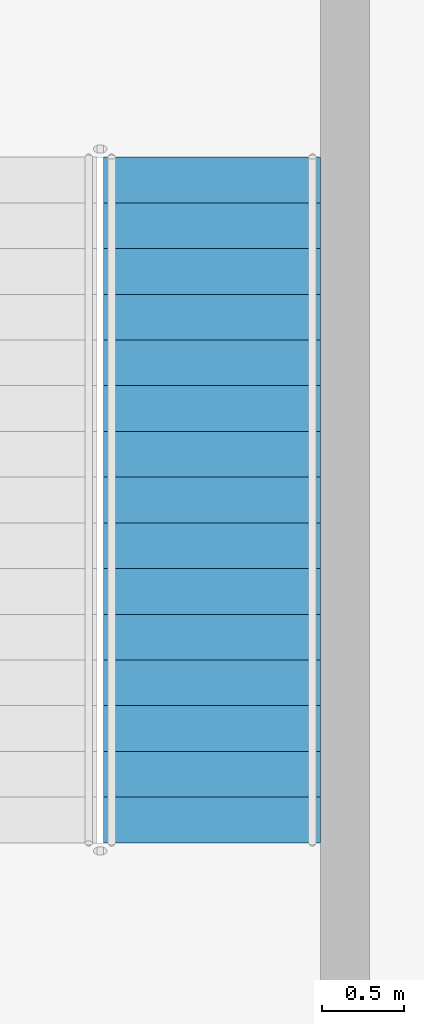
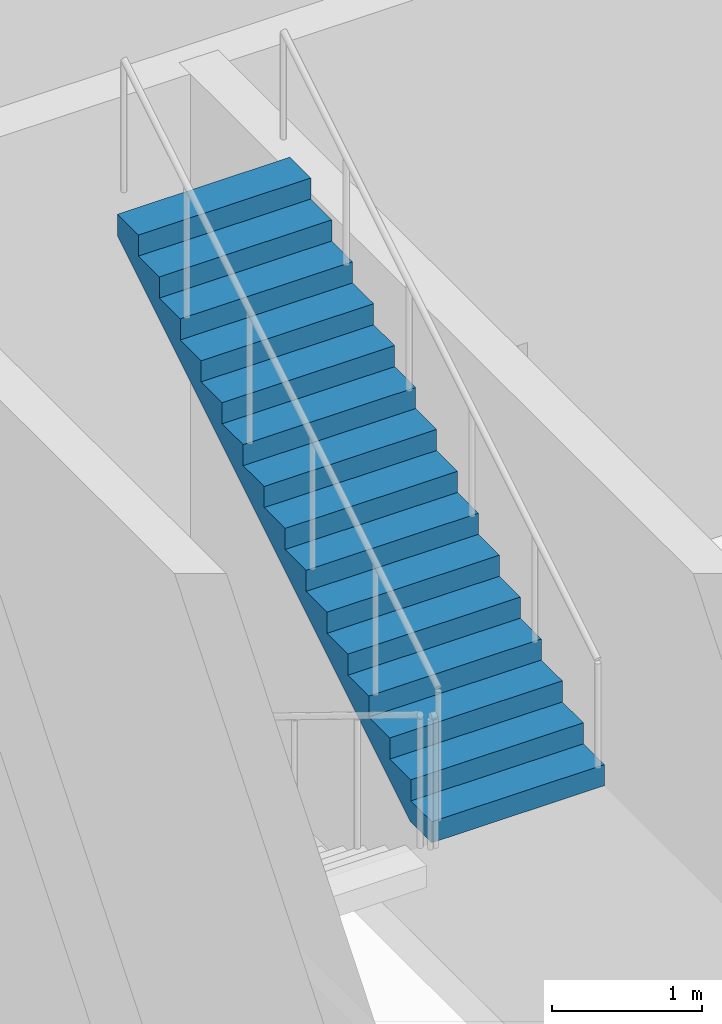
# One storey, part 17 of 23: 1 stair flight, 1 element without a shape of its own.
"""IFC4 building model written with IfcOpenShell, lengths in metres."""

from ifc_helpers import new_model, si_unit, direction, frame, origin, place, context, subcontext, project, spatial, triangles, source, transform, mapped, material, type_object, element, aggregate, save


model = new_model("IFC4")

# Units and contexts
model_context = context("Model", 3, precision=1e-05, world=origin(), true_north=direction((0.0, 1.0)))
body_context = subcontext(model_context, "Body", "Model", "MODEL_VIEW")
ifc_project = project(units=[si_unit("LENGTHUNIT", "METRE"), si_unit("AREAUNIT", "SQUARE_METRE"), si_unit("VOLUMEUNIT", "CUBIC_METRE"), si_unit("PLANEANGLEUNIT", "RADIAN"), si_unit("MASSUNIT", "GRAM", prefix="KILO")], contexts=[model_context])

# Site, building, storey
site_placement = place(None, origin())
site = spatial("IfcSite", under=ifc_project, at=site_placement, CompositionType="ELEMENT")
building_placement = place(site_placement, origin())
building = spatial("IfcBuilding", under=site, at=building_placement, Name="Ogive Portal Towers", CompositionType="ELEMENT")
storey_placement = place(building_placement, frame((0.0, 0.0, 249.39990234375)))
storey = spatial("IfcBuildingStorey", under=building, at=storey_placement, Name="L62", CompositionType="ELEMENT", Elevation=249.39990234375)

# Stair, stair flight
ifc_material = material(Name="Concrete C40/50", Category="concrete")
stair_type = type_object("IfcStairType", Name="INT-STAIR", PredefinedType="HALF_TURN_STAIR", material=ifc_material)
stair_placement = place(storey_placement, origin())
stair = element("IfcStair", 1, at=stair_placement, inside=storey, type_object=stair_type, Name="L62 Exit Stair ST-A4", PredefinedType="HALF_TURN_STAIR")
stair_flight_type = type_object("IfcStairFlightType", Name="INT-FLIGHT", PredefinedType="STRAIGHT", material=ifc_material)
shared_shape = source(origin(), body_context, "Body", "Tessellation", [
    triangles([(0.0, -0.6650390625, 0.0), (0.0, -0.384765625, 0.0), (0.0, -0.197021484375, 0.0), (0.0, -0.0830078125, 0.0), (0.0, -0.024658203125, 0.0), (0.0, -0.003173828125, 0.0), (0.0, 0.0, 0.0), (0.0, 0.003173828125, 0.0), (0.0, 0.024658203125, 0.0), (0.0, 0.0830078125, 0.0), (0.0, 0.197021484375, 0.0), (0.0, 0.384765625, 0.0), (0.0, 0.6650390625, 0.0), (0.0, -0.6650390625, 0.171875), (0.0, -0.384765625, 0.171875), (0.0, -0.197021484375, 0.171875), (0.0, -0.0830078125, 0.171875), (0.0, -0.024658203125, 0.171875), (0.0, -0.003173828125, 0.171875), (0.0, 0.0, 0.171875), (0.0, 0.003173828125, 0.171875), (0.0, 0.024658203125, 0.171875), (0.0, 0.0830078125, 0.171875), (0.0, 0.197021484375, 0.171875), (0.0, 0.384765625, 0.171875), (0.0, 0.6650390625, 0.171875), (0.280029296875, -0.6650390625, 0.171875), (0.280029296875, -0.384765625, 0.171875), (0.280029296875, -0.197021484375, 0.171875), (0.280029296875, -0.0830078125, 0.171875), (0.280029296875, -0.024658203125, 0.171875), (0.280029296875, -0.003173828125, 0.171875), (0.280029296875, 0.0, 0.171875), (0.280029296875, 0.003173828125, 0.171875), (0.280029296875, 0.024658203125, 0.171875), (0.280029296875, 0.0830078125, 0.171875), (0.280029296875, 0.197021484375, 0.171875), (0.280029296875, 0.384765625, 0.171875), (0.280029296875, 0.6650390625, 0.171875), (0.280029296875, -0.6650390625, 0.34375), (0.280029296875, -0.384765625, 0.34375), (0.280029296875, -0.197021484375, 0.34375), (0.280029296875, -0.0830078125, 0.34375), (0.280029296875, -0.024658203125, 0.34375), (0.280029296875, -0.003173828125, 0.34375), (0.280029296875, 0.0, 0.34375), (0.280029296875, 0.003173828125, 0.34375), (0.280029296875, 0.024658203125, 0.34375), (0.280029296875, 0.0830078125, 0.34375), (0.280029296875, 0.197021484375, 0.34375), (0.280029296875, 0.384765625, 0.34375), (0.280029296875, 0.6650390625, 0.34375), (0.56005859375, -0.6650390625, 0.34375), (0.56005859375, -0.384765625, 0.34375), (0.56005859375, -0.197021484375, 0.34375), (0.56005859375, -0.0830078125, 0.34375), (0.56005859375, -0.024658203125, 0.34375), (0.56005859375, -0.003173828125, 0.34375), (0.56005859375, 0.0, 0.34375), (0.56005859375, 0.003173828125, 0.34375), (0.56005859375, 0.024658203125, 0.34375), (0.56005859375, 0.0830078125, 0.34375), (0.56005859375, 0.197021484375, 0.34375), (0.56005859375, 0.384765625, 0.34375), (0.56005859375, 0.6650390625, 0.34375), (0.56005859375, -0.6650390625, 0.515625), (0.56005859375, -0.384765625, 0.515625), (0.56005859375, -0.197021484375, 0.515625), (0.56005859375, -0.0830078125, 0.515625), (0.56005859375, -0.024658203125, 0.515625), (0.56005859375, -0.003173828125, 0.515625), (0.56005859375, 0.0, 0.515625), (0.56005859375, 0.003173828125, 0.515625), (0.56005859375, 0.024658203125, 0.515625), (0.56005859375, 0.0830078125, 0.515625), (0.56005859375, 0.197021484375, 0.515625), (0.56005859375, 0.384765625, 0.515625), (0.56005859375, 0.6650390625, 0.515625), (0.840087890625, -0.6650390625, 0.515625), (0.840087890625, -0.384765625, 0.515625), (0.840087890625, -0.197021484375, 0.515625), (0.840087890625, -0.0830078125, 0.515625), (0.840087890625, -0.024658203125, 0.515625), (0.840087890625, -0.003173828125, 0.515625), (0.840087890625, 0.0, 0.515625), (0.840087890625, 0.003173828125, 0.515625), (0.840087890625, 0.024658203125, 0.515625), (0.840087890625, 0.0830078125, 0.515625), (0.840087890625, 0.197021484375, 0.515625), (0.840087890625, 0.384765625, 0.515625), (0.840087890625, 0.6650390625, 0.515625), (0.840087890625, -0.6650390625, 0.6875), (0.840087890625, -0.384765625, 0.6875), (0.840087890625, -0.197021484375, 0.6875), (0.840087890625, -0.0830078125, 0.6875), (0.840087890625, -0.024658203125, 0.6875), (0.840087890625, -0.003173828125, 0.6875), (0.840087890625, 0.0, 0.6875), (0.840087890625, 0.003173828125, 0.6875), (0.840087890625, 0.024658203125, 0.6875), (0.840087890625, 0.0830078125, 0.6875), (0.840087890625, 0.197021484375, 0.6875), (0.840087890625, 0.384765625, 0.6875), (0.840087890625, 0.6650390625, 0.6875), (1.1201171875, -0.6650390625, 0.6875), (1.1201171875, -0.384765625, 0.6875), (1.1201171875, -0.197021484375, 0.6875), (1.1201171875, -0.0830078125, 0.6875), (1.1201171875, -0.024658203125, 0.6875), (1.1201171875, -0.003173828125, 0.6875), (1.1201171875, 0.0, 0.6875), (1.1201171875, 0.003173828125, 0.6875), (1.1201171875, 0.024658203125, 0.6875), (1.1201171875, 0.0830078125, 0.6875), (1.1201171875, 0.197021484375, 0.6875), (1.1201171875, 0.384765625, 0.6875), (1.1201171875, 0.6650390625, 0.6875), (1.1201171875, -0.6650390625, 0.859375), (1.1201171875, -0.384765625, 0.859375), (1.1201171875, -0.197021484375, 0.859375), (1.1201171875, -0.0830078125, 0.859375), (1.1201171875, -0.024658203125, 0.859375), (1.1201171875, -0.003173828125, 0.859375), (1.1201171875, 0.0, 0.859375), (1.1201171875, 0.003173828125, 0.859375), (1.1201171875, 0.024658203125, 0.859375), (1.1201171875, 0.0830078125, 0.859375), (1.1201171875, 0.197021484375, 0.859375), (1.1201171875, 0.384765625, 0.859375), (1.1201171875, 0.6650390625, 0.859375), (1.39990234375, -0.6650390625, 0.859375), (1.39990234375, -0.384765625, 0.859375), (1.39990234375, -0.197021484375, 0.859375), (1.39990234375, -0.0830078125, 0.859375), (1.39990234375, -0.024658203125, 0.859375), (1.39990234375, -0.003173828125, 0.859375), (1.39990234375, 0.0, 0.859375), (1.39990234375, 0.003173828125, 0.859375), (1.39990234375, 0.024658203125, 0.859375), (1.39990234375, 0.0830078125, 0.859375), (1.39990234375, 0.197021484375, 0.859375), (1.39990234375, 0.384765625, 0.859375), (1.39990234375, 0.6650390625, 0.859375), (1.39990234375, -0.6650390625, 1.03125), (1.39990234375, -0.384765625, 1.03125), (1.39990234375, -0.197021484375, 1.03125), (1.39990234375, -0.0830078125, 1.03125), (1.39990234375, -0.024658203125, 1.03125), (1.39990234375, -0.003173828125, 1.03125), (1.39990234375, 0.0, 1.03125), (1.39990234375, 0.003173828125, 1.03125), (1.39990234375, 0.024658203125, 1.03125), (1.39990234375, 0.0830078125, 1.03125), (1.39990234375, 0.197021484375, 1.03125), (1.39990234375, 0.384765625, 1.03125), (1.39990234375, 0.6650390625, 1.03125), (1.679931640625, -0.6650390625, 1.03125), (1.679931640625, -0.384765625, 1.03125), (1.679931640625, -0.197021484375, 1.03125), (1.679931640625, -0.0830078125, 1.03125), (1.679931640625, -0.024658203125, 1.03125), (1.679931640625, -0.003173828125, 1.03125), (1.679931640625, 0.0, 1.03125), (1.679931640625, 0.003173828125, 1.03125), (1.679931640625, 0.024658203125, 1.03125), (1.679931640625, 0.0830078125, 1.03125), (1.679931640625, 0.197021484375, 1.03125), (1.679931640625, 0.384765625, 1.03125), (1.679931640625, 0.6650390625, 1.03125), (1.679931640625, -0.6650390625, 1.203125), (1.679931640625, -0.384765625, 1.203125), (1.679931640625, -0.197021484375, 1.203125), (1.679931640625, -0.0830078125, 1.203125), (1.679931640625, -0.024658203125, 1.203125), (1.679931640625, -0.003173828125, 1.203125), (1.679931640625, 0.0, 1.203125), (1.679931640625, 0.003173828125, 1.203125), (1.679931640625, 0.024658203125, 1.203125), (1.679931640625, 0.0830078125, 1.203125), (1.679931640625, 0.197021484375, 1.203125), (1.679931640625, 0.384765625, 1.203125), (1.679931640625, 0.6650390625, 1.203125), (1.9599609375, -0.6650390625, 1.203125), (1.9599609375, -0.384765625, 1.203125), (1.9599609375, -0.197021484375, 1.203125), (1.9599609375, -0.0830078125, 1.203125), (1.9599609375, -0.024658203125, 1.203125), (1.9599609375, -0.003173828125, 1.203125), (1.9599609375, 0.0, 1.203125), (1.9599609375, 0.003173828125, 1.203125), (1.9599609375, 0.024658203125, 1.203125), (1.9599609375, 0.0830078125, 1.203125), (1.9599609375, 0.197021484375, 1.203125), (1.9599609375, 0.384765625, 1.203125), (1.9599609375, 0.6650390625, 1.203125), (1.9599609375, -0.6650390625, 1.375), (1.9599609375, -0.384765625, 1.375), (1.9599609375, -0.197021484375, 1.375), (1.9599609375, -0.0830078125, 1.375), (1.9599609375, -0.024658203125, 1.375), (1.9599609375, -0.003173828125, 1.375), (1.9599609375, 0.0, 1.375), (1.9599609375, 0.003173828125, 1.375), (1.9599609375, 0.024658203125, 1.375), (1.9599609375, 0.0830078125, 1.375), (1.9599609375, 0.197021484375, 1.375), (1.9599609375, 0.384765625, 1.375), (1.9599609375, 0.6650390625, 1.375), (2.239990234375, -0.6650390625, 1.375), (2.239990234375, -0.384765625, 1.375), (2.239990234375, -0.197021484375, 1.375), (2.239990234375, -0.0830078125, 1.375), (2.239990234375, -0.024658203125, 1.375), (2.239990234375, -0.003173828125, 1.375), (2.239990234375, 0.0, 1.375), (2.239990234375, 0.003173828125, 1.375), (2.239990234375, 0.024658203125, 1.375), (2.239990234375, 0.0830078125, 1.375), (2.239990234375, 0.197021484375, 1.375), (2.239990234375, 0.384765625, 1.375), (2.239990234375, 0.6650390625, 1.375), (2.239990234375, -0.6650390625, 1.546875), (2.239990234375, -0.384765625, 1.546875), (2.239990234375, -0.197021484375, 1.546875), (2.239990234375, -0.0830078125, 1.546875), (2.239990234375, -0.024658203125, 1.546875), (2.239990234375, -0.003173828125, 1.546875), (2.239990234375, 0.0, 1.546875), (2.239990234375, 0.003173828125, 1.546875), (2.239990234375, 0.024658203125, 1.546875), (2.239990234375, 0.0830078125, 1.546875), (2.239990234375, 0.197021484375, 1.546875), (2.239990234375, 0.384765625, 1.546875), (2.239990234375, 0.6650390625, 1.546875), (2.52001953125, -0.6650390625, 1.546875), (2.52001953125, -0.384765625, 1.546875), (2.52001953125, -0.197021484375, 1.546875), (2.52001953125, -0.0830078125, 1.546875), (2.52001953125, -0.024658203125, 1.546875), (2.52001953125, -0.003173828125, 1.546875), (2.52001953125, 0.0, 1.546875), (2.52001953125, 0.003173828125, 1.546875), (2.52001953125, 0.024658203125, 1.546875), (2.52001953125, 0.0830078125, 1.546875), (2.52001953125, 0.197021484375, 1.546875), (2.52001953125, 0.384765625, 1.546875), (2.52001953125, 0.6650390625, 1.546875), (2.52001953125, -0.6650390625, 1.71875), (2.52001953125, -0.384765625, 1.71875), (2.52001953125, -0.197021484375, 1.71875), (2.52001953125, -0.0830078125, 1.71875), (2.52001953125, -0.024658203125, 1.71875), (2.52001953125, -0.003173828125, 1.71875), (2.52001953125, 0.0, 1.71875), (2.52001953125, 0.003173828125, 1.71875), (2.52001953125, 0.024658203125, 1.71875), (2.52001953125, 0.0830078125, 1.71875), (2.52001953125, 0.197021484375, 1.71875), (2.52001953125, 0.384765625, 1.71875), (2.52001953125, 0.6650390625, 1.71875), (2.800048828125, -0.6650390625, 1.71875), (2.800048828125, -0.384765625, 1.71875), (2.800048828125, -0.197021484375, 1.71875), (2.800048828125, -0.0830078125, 1.71875), (2.800048828125, -0.024658203125, 1.71875), (2.800048828125, -0.003173828125, 1.71875), (2.800048828125, 0.0, 1.71875), (2.800048828125, 0.003173828125, 1.71875), (2.800048828125, 0.024658203125, 1.71875), (2.800048828125, 0.0830078125, 1.71875), (2.800048828125, 0.197021484375, 1.71875), (2.800048828125, 0.384765625, 1.71875), (2.800048828125, 0.6650390625, 1.71875), (2.800048828125, -0.6650390625, 1.890625), (2.800048828125, -0.384765625, 1.890625), (2.800048828125, -0.197021484375, 1.890625), (2.800048828125, -0.0830078125, 1.890625), (2.800048828125, -0.024658203125, 1.890625), (2.800048828125, -0.003173828125, 1.890625), (2.800048828125, 0.0, 1.890625), (2.800048828125, 0.003173828125, 1.890625), (2.800048828125, 0.024658203125, 1.890625), (2.800048828125, 0.0830078125, 1.890625), (2.800048828125, 0.197021484375, 1.890625), (2.800048828125, 0.384765625, 1.890625), (2.800048828125, 0.6650390625, 1.890625), (3.080078125, -0.6650390625, 1.890625), (3.080078125, -0.384765625, 1.890625), (3.080078125, -0.197021484375, 1.890625), (3.080078125, -0.0830078125, 1.890625), (3.080078125, -0.024658203125, 1.890625), (3.080078125, -0.003173828125, 1.890625), (3.080078125, 0.0, 1.890625), (3.080078125, 0.003173828125, 1.890625), (3.080078125, 0.024658203125, 1.890625), (3.080078125, 0.0830078125, 1.890625), (3.080078125, 0.197021484375, 1.890625), (3.080078125, 0.384765625, 1.890625), (3.080078125, 0.6650390625, 1.890625), (3.080078125, -0.6650390625, 2.0625), (3.080078125, -0.384765625, 2.0625), (3.080078125, -0.197021484375, 2.0625), (3.080078125, -0.0830078125, 2.0625), (3.080078125, -0.024658203125, 2.0625), (3.080078125, -0.003173828125, 2.0625), (3.080078125, 0.0, 2.0625), (3.080078125, 0.003173828125, 2.0625), (3.080078125, 0.024658203125, 2.0625), (3.080078125, 0.0830078125, 2.0625), (3.080078125, 0.197021484375, 2.0625), (3.080078125, 0.384765625, 2.0625), (3.080078125, 0.6650390625, 2.0625), (3.360107421875, -0.6650390625, 2.0625), (3.360107421875, -0.384765625, 2.0625), (3.360107421875, -0.197021484375, 2.0625), (3.360107421875, -0.0830078125, 2.0625), (3.360107421875, -0.024658203125, 2.0625), (3.360107421875, -0.003173828125, 2.0625), (3.360107421875, 0.0, 2.0625), (3.360107421875, 0.003173828125, 2.0625), (3.360107421875, 0.024658203125, 2.0625), (3.360107421875, 0.0830078125, 2.0625), (3.360107421875, 0.197021484375, 2.0625), (3.360107421875, 0.384765625, 2.0625), (3.360107421875, 0.6650390625, 2.0625), (3.360107421875, -0.6650390625, 2.234375), (3.360107421875, -0.384765625, 2.234375), (3.360107421875, -0.197021484375, 2.234375), (3.360107421875, -0.0830078125, 2.234375), (3.360107421875, -0.024658203125, 2.234375), (3.360107421875, -0.003173828125, 2.234375), (3.360107421875, 0.0, 2.234375), (3.360107421875, 0.003173828125, 2.234375), (3.360107421875, 0.024658203125, 2.234375), (3.360107421875, 0.0830078125, 2.234375), (3.360107421875, 0.197021484375, 2.234375), (3.360107421875, 0.384765625, 2.234375), (3.360107421875, 0.6650390625, 2.234375), (3.639892578125, -0.6650390625, 2.234375), (3.639892578125, -0.384765625, 2.234375), (3.639892578125, -0.197021484375, 2.234375), (3.639892578125, -0.0830078125, 2.234375), (3.639892578125, -0.024658203125, 2.234375), (3.639892578125, -0.003173828125, 2.234375), (3.639892578125, 0.0, 2.234375), (3.639892578125, 0.003173828125, 2.234375), (3.639892578125, 0.024658203125, 2.234375), (3.639892578125, 0.0830078125, 2.234375), (3.639892578125, 0.197021484375, 2.234375), (3.639892578125, 0.384765625, 2.234375), (3.639892578125, 0.6650390625, 2.234375), (3.639892578125, -0.6650390625, 2.40625), (3.639892578125, -0.384765625, 2.40625), (3.639892578125, -0.197021484375, 2.40625), (3.639892578125, -0.0830078125, 2.40625), (3.639892578125, -0.024658203125, 2.40625), (3.639892578125, -0.003173828125, 2.40625), (3.639892578125, 0.0, 2.40625), (3.639892578125, 0.003173828125, 2.40625), (3.639892578125, 0.024658203125, 2.40625), (3.639892578125, 0.0830078125, 2.40625), (3.639892578125, 0.197021484375, 2.40625), (3.639892578125, 0.384765625, 2.40625), (3.639892578125, 0.6650390625, 2.40625), (3.919921875, -0.6650390625, 2.40625), (3.919921875, -0.384765625, 2.40625), (3.919921875, -0.197021484375, 2.40625), (3.919921875, -0.0830078125, 2.40625), (3.919921875, -0.024658203125, 2.40625), (3.919921875, -0.003173828125, 2.40625), (3.919921875, 0.0, 2.40625), (3.919921875, 0.003173828125, 2.40625), (3.919921875, 0.024658203125, 2.40625), (3.919921875, 0.0830078125, 2.40625), (3.919921875, 0.197021484375, 2.40625), (3.919921875, 0.384765625, 2.40625), (3.919921875, 0.6650390625, 2.40625), (3.919921875, -0.6650390625, 2.578125), (3.919921875, -0.384765625, 2.578125), (3.919921875, -0.197021484375, 2.578125), (3.919921875, -0.0830078125, 2.578125), (3.919921875, -0.024658203125, 2.578125), (3.919921875, -0.003173828125, 2.578125), (3.919921875, 0.0, 2.578125), (3.919921875, 0.003173828125, 2.578125), (3.919921875, 0.024658203125, 2.578125), (3.919921875, 0.0830078125, 2.578125), (3.919921875, 0.197021484375, 2.578125), (3.919921875, 0.384765625, 2.578125), (3.919921875, 0.6650390625, 2.578125), (4.199951171875, -0.6650390625, 2.578125), (4.199951171875, -0.384765625, 2.578125), (4.199951171875, -0.197021484375, 2.578125), (4.199951171875, -0.0830078125, 2.578125), (4.199951171875, -0.024658203125, 2.578125), (4.199951171875, -0.003173828125, 2.578125), (4.199951171875, 0.0, 2.578125), (4.199951171875, 0.003173828125, 2.578125), (4.199951171875, 0.024658203125, 2.578125), (4.199951171875, 0.0830078125, 2.578125), (4.199951171875, 0.197021484375, 2.578125), (4.199951171875, 0.384765625, 2.578125), (4.199951171875, 0.6650390625, 2.578125), (4.199951171875, -0.6650390625, 2.40234375), (4.199951171875, -0.384765625, 2.40234375), (4.199951171875, -0.197021484375, 2.40234375), (4.199951171875, -0.0830078125, 2.40234375), (4.199951171875, -0.024658203125, 2.40234375), (4.199951171875, -0.003173828125, 2.40234375), (4.199951171875, 0.0, 2.40234375), (4.199951171875, 0.003173828125, 2.40234375), (4.199951171875, 0.024658203125, 2.40234375), (4.199951171875, 0.0830078125, 2.40234375), (4.199951171875, 0.197021484375, 2.40234375), (4.199951171875, 0.384765625, 2.40234375), (4.199951171875, 0.6650390625, 2.40234375), (0.28662109375, -0.6650390625, 0.0), (0.28662109375, -0.384765625, 0.0), (0.28662109375, -0.197021484375, 0.0), (0.28662109375, -0.0830078125, 0.0), (0.28662109375, -0.024658203125, 0.0), (0.28662109375, -0.003173828125, 0.0), (0.28662109375, 0.0, 0.0), (0.28662109375, 0.003173828125, 0.0), (0.28662109375, 0.024658203125, 0.0), (0.28662109375, 0.0830078125, 0.0), (0.28662109375, 0.197021484375, 0.0), (0.28662109375, 0.384765625, 0.0), (0.28662109375, 0.6650390625, 0.0)], [[1, 14, 15], [1, 15, 2], [2, 15, 16], [2, 16, 3], [3, 16, 17], [3, 17, 4], [4, 17, 18], [4, 18, 5], [5, 18, 19], [5, 19, 6], [6, 19, 20], [6, 20, 7], [7, 20, 21], [7, 21, 8], [8, 21, 22], [8, 22, 9], [9, 22, 23], [9, 23, 10], [10, 23, 24], [10, 24, 11], [11, 24, 25], [11, 25, 12], [12, 25, 26], [12, 26, 13], [14, 27, 28], [14, 28, 15], [15, 28, 29], [15, 29, 16], [16, 29, 30], [16, 30, 17], [17, 30, 31], [17, 31, 18], [18, 31, 32], [18, 32, 19], [19, 32, 33], [19, 33, 20], [20, 33, 34], [20, 34, 21], [21, 34, 35], [21, 35, 22], [22, 35, 36], [22, 36, 23], [23, 36, 37], [23, 37, 24], [24, 37, 38], [24, 38, 25], [25, 38, 39], [25, 39, 26], [27, 40, 41], [27, 41, 28], [28, 41, 42], [28, 42, 29], [29, 42, 43], [29, 43, 30], [30, 43, 44], [30, 44, 31], [31, 44, 45], [31, 45, 32], [32, 45, 46], [32, 46, 33], [33, 46, 47], [33, 47, 34], [34, 47, 48], [34, 48, 35], [35, 48, 49], [35, 49, 36], [36, 49, 50], [36, 50, 37], [37, 50, 51], [37, 51, 38], [38, 51, 52], [38, 52, 39], [40, 53, 54], [40, 54, 41], [41, 54, 55], [41, 55, 42], [42, 55, 56], [42, 56, 43], [43, 56, 57], [43, 57, 44], [44, 57, 58], [44, 58, 45], [45, 58, 59], [45, 59, 46], [46, 59, 60], [46, 60, 47], [47, 60, 61], [47, 61, 48], [48, 61, 62], [48, 62, 49], [49, 62, 63], [49, 63, 50], [50, 63, 64], [50, 64, 51], [51, 64, 65], [51, 65, 52], [53, 66, 67], [53, 67, 54], [54, 67, 68], [54, 68, 55], [55, 68, 69], [55, 69, 56], [56, 69, 70], [56, 70, 57], [57, 70, 71], [57, 71, 58], [58, 71, 72], [58, 72, 59], [59, 72, 73], [59, 73, 60], [60, 73, 74], [60, 74, 61], [61, 74, 75], [61, 75, 62], [62, 75, 76], [62, 76, 63], [63, 76, 77], [63, 77, 64], [64, 77, 78], [64, 78, 65], [66, 79, 80], [66, 80, 67], [67, 80, 81], [67, 81, 68], [68, 81, 82], [68, 82, 69], [69, 82, 83], [69, 83, 70], [70, 83, 84], [70, 84, 71], [71, 84, 85], [71, 85, 72], [72, 85, 86], [72, 86, 73], [73, 86, 87], [73, 87, 74], [74, 87, 88], [74, 88, 75], [75, 88, 89], [75, 89, 76], [76, 89, 90], [76, 90, 77], [77, 90, 91], [77, 91, 78], [79, 92, 93], [79, 93, 80], [80, 93, 94], [80, 94, 81], [81, 94, 95], [81, 95, 82], [82, 95, 96], [82, 96, 83], [83, 96, 97], [83, 97, 84], [84, 97, 98], [84, 98, 85], [85, 98, 99], [85, 99, 86], [86, 99, 100], [86, 100, 87], [87, 100, 101], [87, 101, 88], [88, 101, 102], [88, 102, 89], [89, 102, 103], [89, 103, 90], [90, 103, 104], [90, 104, 91], [92, 105, 106], [92, 106, 93], [93, 106, 107], [93, 107, 94], [94, 107, 108], [94, 108, 95], [95, 108, 109], [95, 109, 96], [96, 109, 110], [96, 110, 97], [97, 110, 111], [97, 111, 98], [98, 111, 112], [98, 112, 99], [99, 112, 113], [99, 113, 100], [100, 113, 114], [100, 114, 101], [101, 114, 115], [101, 115, 102], [102, 115, 116], [102, 116, 103], [103, 116, 117], [103, 117, 104], [105, 118, 119], [105, 119, 106], [106, 119, 120], [106, 120, 107], [107, 120, 121], [107, 121, 108], [108, 121, 122], [108, 122, 109], [109, 122, 123], [109, 123, 110], [110, 123, 124], [110, 124, 111], [111, 124, 125], [111, 125, 112], [112, 125, 126], [112, 126, 113], [113, 126, 127], [113, 127, 114], [114, 127, 128], [114, 128, 115], [115, 128, 129], [115, 129, 116], [116, 129, 130], [116, 130, 117], [118, 131, 132], [118, 132, 119], [119, 132, 133], [119, 133, 120], [120, 133, 134], [120, 134, 121], [121, 134, 135], [121, 135, 122], [122, 135, 136], [122, 136, 123], [123, 136, 137], [123, 137, 124], [124, 137, 138], [124, 138, 125], [125, 138, 139], [125, 139, 126], [126, 139, 140], [126, 140, 127], [127, 140, 141], [127, 141, 128], [128, 141, 142], [128, 142, 129], [129, 142, 143], [129, 143, 130], [131, 144, 145], [131, 145, 132], [132, 145, 146], [132, 146, 133], [133, 146, 147], [133, 147, 134], [134, 147, 148], [134, 148, 135], [135, 148, 149], [135, 149, 136], [136, 149, 150], [136, 150, 137], [137, 150, 151], [137, 151, 138], [138, 151, 152], [138, 152, 139], [139, 152, 153], [139, 153, 140], [140, 153, 154], [140, 154, 141], [141, 154, 155], [141, 155, 142], [142, 155, 156], [142, 156, 143], [144, 157, 158], [144, 158, 145], [145, 158, 159], [145, 159, 146], [146, 159, 160], [146, 160, 147], [147, 160, 161], [147, 161, 148], [148, 161, 162], [148, 162, 149], [149, 162, 163], [149, 163, 150], [150, 163, 164], [150, 164, 151], [151, 164, 165], [151, 165, 152], [152, 165, 166], [152, 166, 153], [153, 166, 167], [153, 167, 154], [154, 167, 168], [154, 168, 155], [155, 168, 169], [155, 169, 156], [157, 170, 171], [157, 171, 158], [158, 171, 172], [158, 172, 159], [159, 172, 173], [159, 173, 160], [160, 173, 174], [160, 174, 161], [161, 174, 175], [161, 175, 162], [162, 175, 176], [162, 176, 163], [163, 176, 177], [163, 177, 164], [164, 177, 178], [164, 178, 165], [165, 178, 179], [165, 179, 166], [166, 179, 180], [166, 180, 167], [167, 180, 181], [167, 181, 168], [168, 181, 182], [168, 182, 169], [170, 183, 184], [170, 184, 171], [171, 184, 185], [171, 185, 172], [172, 185, 186], [172, 186, 173], [173, 186, 187], [173, 187, 174], [174, 187, 188], [174, 188, 175], [175, 188, 189], [175, 189, 176], [176, 189, 190], [176, 190, 177], [177, 190, 191], [177, 191, 178], [178, 191, 192], [178, 192, 179], [179, 192, 193], [179, 193, 180], [180, 193, 194], [180, 194, 181], [181, 194, 195], [181, 195, 182], [183, 196, 197], [183, 197, 184], [184, 197, 198], [184, 198, 185], [185, 198, 199], [185, 199, 186], [186, 199, 200], [186, 200, 187], [187, 200, 201], [187, 201, 188], [188, 201, 202], [188, 202, 189], [189, 202, 203], [189, 203, 190], [190, 203, 204], [190, 204, 191], [191, 204, 205], [191, 205, 192], [192, 205, 206], [192, 206, 193], [193, 206, 207], [193, 207, 194], [194, 207, 208], [194, 208, 195], [196, 209, 210], [196, 210, 197], [197, 210, 211], [197, 211, 198], [198, 211, 212], [198, 212, 199], [199, 212, 213], [199, 213, 200], [200, 213, 214], [200, 214, 201], [201, 214, 215], [201, 215, 202], [202, 215, 216], [202, 216, 203], [203, 216, 217], [203, 217, 204], [204, 217, 218], [204, 218, 205], [205, 218, 219], [205, 219, 206], [206, 219, 220], [206, 220, 207], [207, 220, 221], [207, 221, 208], [209, 222, 223], [209, 223, 210], [210, 223, 224], [210, 224, 211], [211, 224, 225], [211, 225, 212], [212, 225, 226], [212, 226, 213], [213, 226, 227], [213, 227, 214], [214, 227, 228], [214, 228, 215], [215, 228, 229], [215, 229, 216], [216, 229, 230], [216, 230, 217], [217, 230, 231], [217, 231, 218], [218, 231, 232], [218, 232, 219], [219, 232, 233], [219, 233, 220], [220, 233, 234], [220, 234, 221], [222, 235, 236], [222, 236, 223], [223, 236, 237], [223, 237, 224], [224, 237, 238], [224, 238, 225], [225, 238, 239], [225, 239, 226], [226, 239, 240], [226, 240, 227], [227, 240, 241], [227, 241, 228], [228, 241, 242], [228, 242, 229], [229, 242, 243], [229, 243, 230], [230, 243, 244], [230, 244, 231], [231, 244, 245], [231, 245, 232], [232, 245, 246], [232, 246, 233], [233, 246, 247], [233, 247, 234], [235, 248, 249], [235, 249, 236], [236, 249, 250], [236, 250, 237], [237, 250, 251], [237, 251, 238], [238, 251, 252], [238, 252, 239], [239, 252, 253], [239, 253, 240], [240, 253, 254], [240, 254, 241], [241, 254, 255], [241, 255, 242], [242, 255, 256], [242, 256, 243], [243, 256, 257], [243, 257, 244], [244, 257, 258], [244, 258, 245], [245, 258, 259], [245, 259, 246], [246, 259, 260], [246, 260, 247], [248, 261, 262], [248, 262, 249], [249, 262, 263], [249, 263, 250], [250, 263, 264], [250, 264, 251], [251, 264, 265], [251, 265, 252], [252, 265, 266], [252, 266, 253], [253, 266, 267], [253, 267, 254], [254, 267, 268], [254, 268, 255], [255, 268, 269], [255, 269, 256], [256, 269, 270], [256, 270, 257], [257, 270, 271], [257, 271, 258], [258, 271, 272], [258, 272, 259], [259, 272, 273], [259, 273, 260], [261, 274, 275], [261, 275, 262], [262, 275, 276], [262, 276, 263], [263, 276, 277], [263, 277, 264], [264, 277, 278], [264, 278, 265], [265, 278, 279], [265, 279, 266], [266, 279, 280], [266, 280, 267], [267, 280, 281], [267, 281, 268], [268, 281, 282], [268, 282, 269], [269, 282, 283], [269, 283, 270], [270, 283, 284], [270, 284, 271], [271, 284, 285], [271, 285, 272], [272, 285, 286], [272, 286, 273], [274, 287, 288], [274, 288, 275], [275, 288, 289], [275, 289, 276], [276, 289, 290], [276, 290, 277], [277, 290, 291], [277, 291, 278], [278, 291, 292], [278, 292, 279], [279, 292, 293], [279, 293, 280], [280, 293, 294], [280, 294, 281], [281, 294, 295], [281, 295, 282], [282, 295, 296], [282, 296, 283], [283, 296, 297], [283, 297, 284], [284, 297, 298], [284, 298, 285], [285, 298, 299], [285, 299, 286], [287, 300, 301], [287, 301, 288], [288, 301, 302], [288, 302, 289], [289, 302, 303], [289, 303, 290], [290, 303, 304], [290, 304, 291], [291, 304, 305], [291, 305, 292], [292, 305, 306], [292, 306, 293], [293, 306, 307], [293, 307, 294], [294, 307, 308], [294, 308, 295], [295, 308, 309], [295, 309, 296], [296, 309, 310], [296, 310, 297], [297, 310, 311], [297, 311, 298], [298, 311, 312], [298, 312, 299], [300, 313, 314], [300, 314, 301], [301, 314, 315], [301, 315, 302], [302, 315, 316], [302, 316, 303], [303, 316, 317], [303, 317, 304], [304, 317, 318], [304, 318, 305], [305, 318, 319], [305, 319, 306], [306, 319, 320], [306, 320, 307], [307, 320, 321], [307, 321, 308], [308, 321, 322], [308, 322, 309], [309, 322, 323], [309, 323, 310], [310, 323, 324], [310, 324, 311], [311, 324, 325], [311, 325, 312], [313, 326, 327], [313, 327, 314], [314, 327, 328], [314, 328, 315], [315, 328, 329], [315, 329, 316], [316, 329, 330], [316, 330, 317], [317, 330, 331], [317, 331, 318], [318, 331, 332], [318, 332, 319], [319, 332, 333], [319, 333, 320], [320, 333, 334], [320, 334, 321], [321, 334, 335], [321, 335, 322], [322, 335, 336], [322, 336, 323], [323, 336, 337], [323, 337, 324], [324, 337, 338], [324, 338, 325], [326, 339, 340], [326, 340, 327], [327, 340, 341], [327, 341, 328], [328, 341, 342], [328, 342, 329], [329, 342, 343], [329, 343, 330], [330, 343, 344], [330, 344, 331], [331, 344, 345], [331, 345, 332], [332, 345, 346], [332, 346, 333], [333, 346, 347], [333, 347, 334], [334, 347, 348], [334, 348, 335], [335, 348, 349], [335, 349, 336], [336, 349, 350], [336, 350, 337], [337, 350, 351], [337, 351, 338], [339, 352, 353], [339, 353, 340], [340, 353, 354], [340, 354, 341], [341, 354, 355], [341, 355, 342], [342, 355, 356], [342, 356, 343], [343, 356, 357], [343, 357, 344], [344, 357, 358], [344, 358, 345], [345, 358, 359], [345, 359, 346], [346, 359, 360], [346, 360, 347], [347, 360, 361], [347, 361, 348], [348, 361, 362], [348, 362, 349], [349, 362, 363], [349, 363, 350], [350, 363, 364], [350, 364, 351], [352, 365, 366], [352, 366, 353], [353, 366, 367], [353, 367, 354], [354, 367, 368], [354, 368, 355], [355, 368, 369], [355, 369, 356], [356, 369, 370], [356, 370, 357], [357, 370, 371], [357, 371, 358], [358, 371, 372], [358, 372, 359], [359, 372, 373], [359, 373, 360], [360, 373, 374], [360, 374, 361], [361, 374, 375], [361, 375, 362], [362, 375, 376], [362, 376, 363], [363, 376, 377], [363, 377, 364], [365, 378, 379], [365, 379, 366], [366, 379, 380], [366, 380, 367], [367, 380, 381], [367, 381, 368], [368, 381, 382], [368, 382, 369], [369, 382, 383], [369, 383, 370], [370, 383, 384], [370, 384, 371], [371, 384, 385], [371, 385, 372], [372, 385, 386], [372, 386, 373], [373, 386, 387], [373, 387, 374], [374, 387, 388], [374, 388, 375], [375, 388, 389], [375, 389, 376], [376, 389, 390], [376, 390, 377], [378, 391, 392], [378, 392, 379], [379, 392, 393], [379, 393, 380], [380, 393, 394], [380, 394, 381], [381, 394, 395], [381, 395, 382], [382, 395, 396], [382, 396, 383], [383, 396, 397], [383, 397, 384], [384, 397, 398], [384, 398, 385], [385, 398, 399], [385, 399, 386], [386, 399, 400], [386, 400, 387], [387, 400, 401], [387, 401, 388], [388, 401, 402], [388, 402, 389], [389, 402, 403], [389, 403, 390], [391, 404, 405], [391, 405, 392], [392, 405, 406], [392, 406, 393], [393, 406, 407], [393, 407, 394], [394, 407, 408], [394, 408, 395], [395, 408, 409], [395, 409, 396], [396, 409, 410], [396, 410, 397], [397, 410, 411], [397, 411, 398], [398, 411, 412], [398, 412, 399], [399, 412, 413], [399, 413, 400], [400, 413, 414], [400, 414, 401], [401, 414, 415], [401, 415, 402], [402, 415, 416], [402, 416, 403], [404, 417, 418], [404, 418, 405], [405, 418, 419], [405, 419, 406], [406, 419, 420], [406, 420, 407], [407, 420, 421], [407, 421, 408], [408, 421, 422], [408, 422, 409], [409, 422, 423], [409, 423, 410], [410, 423, 424], [410, 424, 411], [411, 424, 425], [411, 425, 412], [412, 425, 426], [412, 426, 413], [413, 426, 427], [413, 427, 414], [414, 427, 428], [414, 428, 415], [415, 428, 429], [415, 429, 416], [417, 1, 2], [417, 2, 418], [418, 2, 3], [418, 3, 419], [419, 3, 4], [419, 4, 420], [420, 4, 5], [420, 5, 421], [421, 5, 6], [421, 6, 422], [422, 6, 7], [422, 7, 423], [423, 7, 8], [423, 8, 424], [424, 8, 9], [424, 9, 425], [425, 9, 10], [425, 10, 426], [426, 10, 11], [426, 11, 427], [427, 11, 12], [427, 12, 428], [428, 12, 13], [428, 13, 429], [1, 417, 404], [13, 416, 429], [404, 391, 378], [416, 390, 403], [404, 378, 365], [416, 377, 390], [404, 365, 352], [416, 364, 377], [404, 352, 339], [416, 351, 364], [339, 326, 313], [351, 325, 338], [404, 339, 313], [416, 325, 351], [313, 300, 287], [325, 299, 312], [404, 313, 287], [416, 299, 325], [287, 274, 261], [299, 273, 286], [404, 287, 261], [416, 273, 299], [261, 248, 235], [273, 247, 260], [404, 261, 235], [416, 247, 273], [235, 222, 209], [247, 221, 234], [404, 235, 209], [416, 221, 247], [209, 196, 183], [221, 195, 208], [404, 209, 183], [416, 195, 221], [183, 170, 157], [195, 169, 182], [404, 183, 157], [416, 169, 195], [157, 144, 131], [169, 143, 156], [404, 157, 131], [416, 143, 169], [131, 118, 105], [143, 117, 130], [404, 131, 105], [416, 117, 143], [105, 92, 79], [117, 91, 104], [404, 105, 79], [416, 91, 117], [79, 66, 53], [91, 65, 78], [404, 79, 53], [416, 65, 91], [53, 40, 27], [65, 39, 52], [404, 53, 27], [416, 39, 65], [1, 404, 27], [13, 39, 416], [27, 14, 1], [39, 13, 26]], closed=True),
])
stair_flight_placement = place(storey_placement, frame((89.034912109375, 24.969970703125, 2.75), z_axis=(0.0, 0.0, 1.0), x_axis=(0.0, 1.0, 0.0)))
stair_flight = element("IfcStairFlight", 2, at=stair_flight_placement, type_object=stair_flight_type, Name="ST-A4 flight 2", NumberOfRisers=16, NumberOfTreads=15, PredefinedType="STRAIGHT", RiserHeight=0.171875, TreadLength=0.28, context=body_context, shape_type="MappedRepresentation", body=[
    mapped(shared_shape, transform((0.0, 0.0, 0.0), scale=1.0)),
])
aggregate(stair, [stair_flight])

save(model, "model.ifc")
